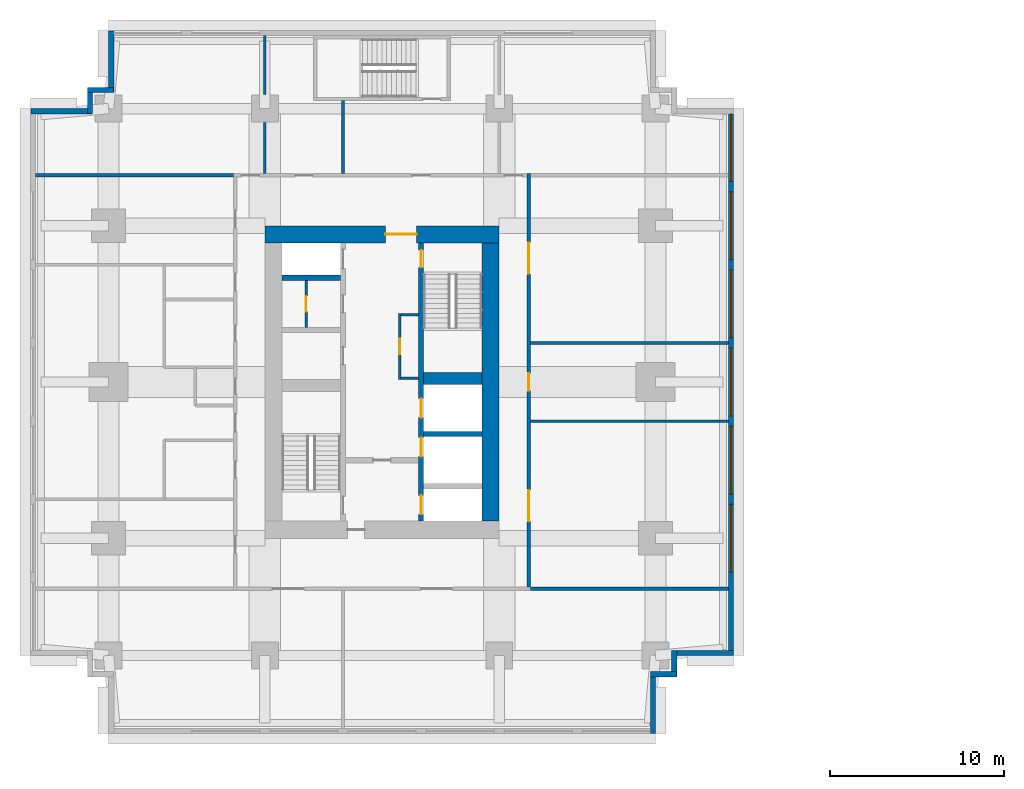
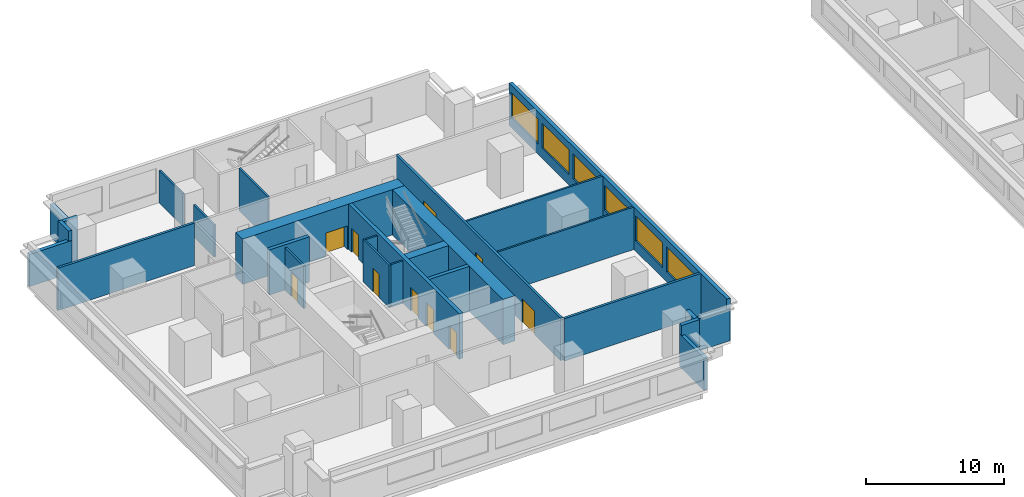
# One storey, part 4 of 11: 27 walls, 10 doors, 6 windows, 16 openings.
"""IFC4 building model written with IfcOpenShell, lengths in metres."""

from ifc_helpers import new_model, si_unit, direction, frame, frame_2d, origin, place, context, subcontext, project, spatial, rectangle, extrude, material, layer, layer_set, type_object, element, fill, save


model = new_model("IFC4")

# Units and contexts
model_context = context("Model", 3, precision=1e-05, world=origin(), true_north=direction((0.0, 1.0)))
body_context = subcontext(model_context, "Body", "Model", "MODEL_VIEW")
ifc_project = project(units=[si_unit("LENGTHUNIT", "METRE"), si_unit("AREAUNIT", "SQUARE_METRE"), si_unit("VOLUMEUNIT", "CUBIC_METRE"), si_unit("PLANEANGLEUNIT", "RADIAN"), si_unit("MASSUNIT", "GRAM", prefix="KILO")], contexts=[model_context])

# Site, building, storey
site_placement = place(None, origin())
site = spatial("IfcSite", under=ifc_project, at=site_placement, CompositionType="ELEMENT")
building_placement = place(site_placement, origin())
building = spatial("IfcBuilding", under=site, at=building_placement, Name="Namib Vertical Campus", CompositionType="ELEMENT")
storey_placement = place(building_placement, frame((0.0, 0.0, 221.0)))
storey = spatial("IfcBuildingStorey", under=building, at=storey_placement, Name="L52", CompositionType="ELEMENT", Elevation=221.0)

# Wall, openings, doors
ifc_material_1 = material(Name="Concrete C60/75", Category="concrete")
ifc_layer_1 = layer(ifc_material_1, 0.300048828125)
ifc_layer_set_1 = layer_set([ifc_layer_1], Name="Concrete C60/75")
wall_type_1 = type_object("IfcWallType", Name="Core inner wall 300", PredefinedType="SHEAR", material=ifc_layer_set_1)
wall_1_placement = place(storey_placement, frame((22.5, 12.25, 0.0), z_axis=(0.0, 0.0, 1.0), x_axis=(0.0, 1.0, 0.0)))
wall_1 = element("IfcWall", 1, at=wall_1_placement, inside=storey, type_object=wall_type_1, Name="Core inner wall A L52 W2", PredefinedType="SHEAR", context=body_context, shape_type="SweptSolid", body=[
    extrude(rectangle(XDim=16.0, YDim=0.300048828125, at=frame_2d((8.0, 0.0))), origin(), (0.0, 0.0, 1.0), 4.0),
])
opening_1_placement = place(wall_1_placement, frame((14.60009765625, 0.0, 0.0)))
opening_1 = element("IfcOpeningElement", 2, at=opening_1_placement, cuts=wall_1, Name="Opening FD1", PredefinedType="OPENING", context=body_context, shape_type="SweptSolid", body=[
    extrude(rectangle(XDim=1.0, YDim=2.10009765625, at=frame_2d((0.5, 1.050048828125))), frame((0.0, 0.159912109375, 0.0), z_axis=(0.0, -1.0, 0.0), x_axis=(1.0, 0.0, 0.0)), (0.0, 0.0, 1.0), 0.320068359375),
])
opening_2_placement = place(wall_1_placement, frame((0.375, 0.0, 0.0)))
opening_2 = element("IfcOpeningElement", 3, at=opening_2_placement, cuts=wall_1, Name="Opening LD1", PredefinedType="OPENING", context=body_context, shape_type="SweptSolid", body=[
    extrude(rectangle(XDim=1.10009765625, YDim=2.10009765625, at=frame_2d((0.550048828125, 1.050048828125))), frame((0.0, 0.159912109375, 0.0), z_axis=(0.0, -1.0, 0.0), x_axis=(1.0, 0.0, 0.0)), (0.0, 0.0, 1.0), 0.320068359375),
])
opening_3_placement = place(wall_1_placement, frame((3.699951171875, 0.0, 0.0)))
opening_3 = element("IfcOpeningElement", 4, at=opening_3_placement, cuts=wall_1, Name="Opening LD1", PredefinedType="OPENING", context=body_context, shape_type="SweptSolid", body=[
    extrude(rectangle(XDim=1.10009765625, YDim=2.10009765625, at=frame_2d((0.550048828125, 1.050048828125))), frame((0.0, 0.159912109375, 0.0), z_axis=(0.0, -1.0, 0.0), x_axis=(1.0, 0.0, 0.0)), (0.0, 0.0, 1.0), 0.320068359375),
])
opening_4_placement = place(wall_1_placement, frame((5.949951171875, 0.0, 0.0)))
opening_4 = element("IfcOpeningElement", 5, at=opening_4_placement, cuts=wall_1, Name="Opening LD1", PredefinedType="OPENING", context=body_context, shape_type="SweptSolid", body=[
    extrude(rectangle(XDim=1.10009765625, YDim=2.10009765625, at=frame_2d((0.550048828125, 1.050048828125))), frame((0.0, 0.159912109375, 0.0), z_axis=(0.0, -1.0, 0.0), x_axis=(1.0, 0.0, 0.0)), (0.0, 0.0, 1.0), 0.320068359375),
])
ifc_material_2 = material(Name="Steel fire door", Category="steel")
door_type_1 = type_object("IfcDoorType", Name="Fire door 1000x2100", OperationType="SINGLE_SWING_RIGHT", PredefinedType="DOOR", material=ifc_material_2)
door_1_placement = place(opening_1_placement, frame((1.0, 0.0, 0.0), z_axis=(0.0, 0.0, 1.0), x_axis=(-1.0, 0.0, 0.0)))
door_1 = element("IfcDoor", 6, at=door_1_placement, inside=storey, type_object=door_type_1, Name="Stair door FD1 A L52 S2", OperationType="SINGLE_SWING_LEFT", OverallHeight=2.10009765625, OverallWidth=1.0, PredefinedType="DOOR", context=body_context, shape_type="SweptSolid", body=[
    extrude(rectangle(XDim=1.0, YDim=2.10009765625, at=frame_2d((0.5, 1.050048828125))), frame((0.0, 0.02490234375, 0.0), z_axis=(0.0, -1.0, 0.0), x_axis=(1.0, 0.0, 0.0)), (0.0, 0.0, 1.0), 0.050048828125),
])
fill(opening_1, door_1)
ifc_material_3 = material(Name="Stainless steel lift door", Category="steel")
door_type_2 = type_object("IfcDoorType", Name="Lift landing door 1100x2100", OperationType="DOUBLE_DOOR_SLIDING", PredefinedType="DOOR", material=ifc_material_3)
door_2_placement = place(opening_2_placement, origin())
door_2 = element("IfcDoor", 7, at=door_2_placement, inside=storey, type_object=door_type_2, Name="Lift landing door LD1 A-FL1 L52", OperationType="DOUBLE_DOOR_SLIDING", OverallHeight=2.10009765625, OverallWidth=1.10009765625, PredefinedType="DOOR", context=body_context, shape_type="SweptSolid", body=[
    extrude(rectangle(XDim=1.10009765625, YDim=2.10009765625, at=frame_2d((0.550048828125, 1.050048828125))), frame((0.0, 0.02490234375, 0.0), z_axis=(0.0, -1.0, 0.0), x_axis=(1.0, 0.0, 0.0)), (0.0, 0.0, 1.0), 0.050048828125),
])
fill(opening_2, door_2)
door_3_placement = place(opening_3_placement, origin())
door_3 = element("IfcDoor", 8, at=door_3_placement, inside=storey, type_object=door_type_2, Name="Lift landing door LD1 A-P4 L52", OperationType="DOUBLE_DOOR_SLIDING", OverallHeight=2.10009765625, OverallWidth=1.10009765625, PredefinedType="DOOR", context=body_context, shape_type="SweptSolid", body=[
    extrude(rectangle(XDim=1.10009765625, YDim=2.10009765625, at=frame_2d((0.550048828125, 1.050048828125))), frame((0.0, 0.02490234375, 0.0), z_axis=(0.0, -1.0, 0.0), x_axis=(1.0, 0.0, 0.0)), (0.0, 0.0, 1.0), 0.050048828125),
])
fill(opening_3, door_3)
door_4_placement = place(opening_4_placement, origin())
door_4 = element("IfcDoor", 9, at=door_4_placement, inside=storey, type_object=door_type_2, Name="Lift landing door LD1 A-P5 L52", OperationType="DOUBLE_DOOR_SLIDING", OverallHeight=2.10009765625, OverallWidth=1.10009765625, PredefinedType="DOOR", context=body_context, shape_type="SweptSolid", body=[
    extrude(rectangle(XDim=1.10009765625, YDim=2.10009765625, at=frame_2d((0.550048828125, 1.050048828125))), frame((0.0, 0.02490234375, 0.0), z_axis=(0.0, -1.0, 0.0), x_axis=(1.0, 0.0, 0.0)), (0.0, 0.0, 1.0), 0.050048828125),
])
fill(opening_4, door_4)

# Walls
for number, where, z_axis, x_axis, name in (
    (10, (22.64990234375, 17.25, 0.0), (0.0, 0.0, 1.0), (1.0, 0.0, 0.0), "Core inner wall A L52 W6"),
    (11, (14.5, 26.25, 0.0), (0.0, 0.0, 1.0), (1.0, 0.0, 0.0), "Core inner wall A L52 W9"),
):
    element("IfcWall", number, at=place(storey_placement, frame(where, z_axis=z_axis, x_axis=x_axis)), inside=storey, type_object=wall_type_1, Name=name, PredefinedType="SHEAR", context=body_context, shape_type="SweptSolid", body=[
        extrude(rectangle(XDim=3.35009765625, YDim=0.300048828125, at=frame_2d((1.675048828125, 0.0))), origin(), (0.0, 0.0, 1.0), 4.0),
    ])
ifc_material_4 = material(Name="Concrete C60/75", Category="concrete")
ifc_layer_2 = layer(ifc_material_4, 0.699951171875)
ifc_layer_set_2 = layer_set([ifc_layer_2], Name="Concrete C60/75")
wall_type_2 = type_object("IfcWallType", Name="Core shear wall 700", PredefinedType="SHEAR", material=ifc_layer_set_2)
wall_2_placement = place(storey_placement, frame((22.64990234375, 20.449951171875, 0.0), z_axis=(0.0, 0.0, 1.0), x_axis=(1.0, 0.0, 0.0)))
element("IfcWall", 12, at=wall_2_placement, inside=storey, type_object=wall_type_2, Name="Core shear wall A L52 W7", PredefinedType="SHEAR", context=body_context, shape_type="SweptSolid", body=[
    extrude(rectangle(XDim=3.35009765625, YDim=0.699951171875, at=frame_2d((1.675048828125, 0.0))), origin(), (0.0, 0.0, 1.0), 4.0),
])
ifc_material_5 = material(Name="Concrete C60/75", Category="concrete")
ifc_layer_3 = layer(ifc_material_5, 1.0)
ifc_layer_set_3 = layer_set([ifc_layer_3], Name="Concrete C60/75")
wall_type_3 = type_object("IfcWallType", Name="Core wall 1000", PredefinedType="SHEAR", material=ifc_layer_set_3)
wall_3_placement = place(storey_placement, frame((26.5, 12.25, 0.0), z_axis=(0.0, 0.0, 1.0), x_axis=(0.0, 1.0, 0.0)))
element("IfcWall", 13, at=wall_3_placement, inside=storey, type_object=wall_type_3, Name="Core wall A L52 2", PredefinedType="SHEAR", context=body_context, shape_type="SweptSolid", body=[
    extrude(rectangle(XDim=16.0, YDim=1.0, at=frame_2d((8.0, 0.0))), origin(), (0.0, 0.0, 1.0), 4.0),
])

# Wall, opening, door
wall_4_placement = place(storey_placement, frame((27.0, 28.75, 0.0), z_axis=(0.0, 0.0, 1.0), x_axis=(-1.0, 0.0, 0.0)))
wall_4 = element("IfcWall", 14, at=wall_4_placement, inside=storey, type_object=wall_type_3, Name="Core wall A L52 3", PredefinedType="SHEAR", context=body_context, shape_type="SweptSolid", body=[
    extrude(rectangle(XDim=13.5, YDim=1.0, at=frame_2d((6.75, 0.0))), origin(), (0.0, 0.0, 1.0), 4.0),
])
opening_5_placement = place(wall_4_placement, frame((4.75, 0.0, 0.0)))
opening_5 = element("IfcOpeningElement", 15, at=opening_5_placement, cuts=wall_4, Name="Opening FD2", PredefinedType="OPENING", context=body_context, shape_type="SweptSolid", body=[
    extrude(rectangle(XDim=1.800048828125, YDim=2.10009765625, at=frame_2d((0.89990234375, 1.050048828125))), frame((0.0, 0.510009765625, 0.0), z_axis=(0.0, -1.0, 0.0), x_axis=(1.0, 0.0, 0.0)), (0.0, 0.0, 1.0), 1.02001953125),
])
ifc_material_6 = material(Name="Steel fire door", Category="steel")
door_type_3 = type_object("IfcDoorType", Name="Fire door double 1800x2100", OperationType="DOUBLE_DOOR_SINGLE_SWING", PredefinedType="DOOR", material=ifc_material_6)
door_5_placement = place(opening_5_placement, origin())
door_5 = element("IfcDoor", 16, at=door_5_placement, inside=storey, type_object=door_type_3, Name="Lift lobby door FD2 A L52", OperationType="DOUBLE_DOOR_SINGLE_SWING", OverallHeight=2.10009765625, OverallWidth=1.800048828125, PredefinedType="DOOR", context=body_context, shape_type="SweptSolid", body=[
    extrude(rectangle(XDim=1.800048828125, YDim=2.10009765625, at=frame_2d((0.89990234375, 1.050048828125))), frame((0.0, 0.02490234375, 0.0), z_axis=(0.0, -1.0, 0.0), x_axis=(1.0, 0.0, 0.0)), (0.0, 0.0, 1.0), 0.050048828125),
])
fill(opening_5, door_5)

# Wall, openings, doors
ifc_material_7 = material(Name="Concrete masonry", Category="masonry")
ifc_layer_4 = layer(ifc_material_7, 0.199951171875)
ifc_layer_set_4 = layer_set([ifc_layer_4], Name="Corridor wall 200")
wall_type_4 = type_object("IfcWallType", Name="Corridor wall 200", PredefinedType="SOLIDWALL", material=ifc_layer_set_4)
wall_5_placement = place(storey_placement, frame((28.699951171875, 8.449951171875, 0.0), z_axis=(0.0, 0.0, 1.0), x_axis=(0.0, 1.0, 0.0)))
wall_5 = element("IfcWall", 17, at=wall_5_placement, inside=storey, type_object=wall_type_4, Name="Corridor wall A L52 CE", PredefinedType="SOLIDWALL", context=body_context, shape_type="SweptSolid", body=[
    extrude(rectangle(XDim=23.800048828125, YDim=0.199951171875, at=frame_2d((11.89990234375, 0.0))), origin(), (0.0, 0.0, 1.0), 3.75),
])
opening_6_placement = place(wall_5_placement, frame((3.77490234375, 0.0, 0.0)))
opening_6 = element("IfcOpeningElement", 18, at=opening_6_placement, cuts=wall_5, Name="Opening CD2", PredefinedType="OPENING", context=body_context, shape_type="SweptSolid", body=[
    extrude(rectangle(XDim=1.800048828125, YDim=2.10009765625, at=frame_2d((0.89990234375, 1.050048828125))), frame((0.0, 0.10986328125, 0.0), z_axis=(0.0, -1.0, 0.0), x_axis=(1.0, 0.0, 0.0)), (0.0, 0.0, 1.0), 0.219970703125),
])
opening_7_placement = place(wall_5_placement, frame((11.300048828125, 0.0, 0.0)))
opening_7 = element("IfcOpeningElement", 19, at=opening_7_placement, cuts=wall_5, Name="Opening CD1", PredefinedType="OPENING", context=body_context, shape_type="SweptSolid", body=[
    extrude(rectangle(XDim=1.0, YDim=2.10009765625, at=frame_2d((0.5, 1.050048828125))), frame((0.0, 0.10986328125, 0.0), z_axis=(0.0, -1.0, 0.0), x_axis=(1.0, 0.0, 0.0)), (0.0, 0.0, 1.0), 0.219970703125),
])
opening_8_placement = place(wall_5_placement, frame((18.02490234375, 0.0, 0.0)))
opening_8 = element("IfcOpeningElement", 20, at=opening_8_placement, cuts=wall_5, Name="Opening CD2", PredefinedType="OPENING", context=body_context, shape_type="SweptSolid", body=[
    extrude(rectangle(XDim=1.800048828125, YDim=2.10009765625, at=frame_2d((0.89990234375, 1.050048828125))), frame((0.0, 0.10986328125, 0.0), z_axis=(0.0, -1.0, 0.0), x_axis=(1.0, 0.0, 0.0)), (0.0, 0.0, 1.0), 0.219970703125),
])
ifc_material_8 = material(Name="Timber fire door leaf", Category="wood")
door_type_4 = type_object("IfcDoorType", Name="Corridor door 1000x2100 20 min", OperationType="SINGLE_SWING_LEFT", PredefinedType="DOOR", material=ifc_material_8)
door_6_placement = place(opening_7_placement, frame((1.0, 0.0, 0.0), z_axis=(0.0, 0.0, 1.0), x_axis=(-1.0, 0.0, 0.0)))
door_6 = element("IfcDoor", 21, at=door_6_placement, inside=storey, type_object=door_type_4, Name="Door CD1 A52-04", OperationType="SINGLE_SWING_RIGHT", OverallHeight=2.10009765625, OverallWidth=1.0, PredefinedType="DOOR", context=body_context, shape_type="SweptSolid", body=[
    extrude(rectangle(XDim=1.0, YDim=2.10009765625, at=frame_2d((0.5, 1.050048828125))), frame((0.0, 0.02490234375, 0.0), z_axis=(0.0, -1.0, 0.0), x_axis=(1.0, 0.0, 0.0)), (0.0, 0.0, 1.0), 0.050048828125),
])
fill(opening_7, door_6)
ifc_material_9 = material(Name="Timber fire door leaf", Category="wood")
door_type_5 = type_object("IfcDoorType", Name="Corridor door double 1800x2100 20 min", OperationType="DOUBLE_DOOR_SINGLE_SWING", PredefinedType="DOOR", material=ifc_material_9)
door_7_placement = place(opening_6_placement, frame((1.800048828125, 0.0, 0.0), z_axis=(0.0, 0.0, 1.0), x_axis=(-1.0, 0.0, 0.0)))
door_7 = element("IfcDoor", 22, at=door_7_placement, inside=storey, type_object=door_type_5, Name="Door CD2 A52-03", OperationType="DOUBLE_DOOR_SINGLE_SWING", OverallHeight=2.10009765625, OverallWidth=1.800048828125, PredefinedType="DOOR", context=body_context, shape_type="SweptSolid", body=[
    extrude(rectangle(XDim=1.800048828125, YDim=2.10009765625, at=frame_2d((0.89990234375, 1.050048828125))), frame((0.0, 0.02490234375, 0.0), z_axis=(0.0, -1.0, 0.0), x_axis=(1.0, 0.0, 0.0)), (0.0, 0.0, 1.0), 0.050048828125),
])
fill(opening_6, door_7)
door_8_placement = place(opening_8_placement, frame((1.800048828125, 0.0, 0.0), z_axis=(0.0, 0.0, 1.0), x_axis=(-1.0, 0.0, 0.0)))
door_8 = element("IfcDoor", 23, at=door_8_placement, inside=storey, type_object=door_type_5, Name="Door CD2 A52-05", OperationType="DOUBLE_DOOR_SINGLE_SWING", OverallHeight=2.10009765625, OverallWidth=1.800048828125, PredefinedType="DOOR", context=body_context, shape_type="SweptSolid", body=[
    extrude(rectangle(XDim=1.800048828125, YDim=2.10009765625, at=frame_2d((0.89990234375, 1.050048828125))), frame((0.0, 0.02490234375, 0.0), z_axis=(0.0, -1.0, 0.0), x_axis=(1.0, 0.0, 0.0)), (0.0, 0.0, 1.0), 0.050048828125),
])
fill(opening_8, door_8)

# Walls
for number, where, z_axis, x_axis, name in (
    (24, (28.800048828125, 8.35009765625, 0.0), (0.0, 0.0, 1.0), (1.0, 0.0, 0.0), "Partition A L52 BSE"),
    (25, (0.300048828125, 32.14990234375, 0.0), (0.0, 0.0, 1.0), (1.0, 0.0, 0.0), "Partition A L52 BNW"),
):
    element("IfcWall", number, at=place(storey_placement, frame(where, z_axis=z_axis, x_axis=x_axis)), inside=storey, type_object=wall_type_4, Name=name, PredefinedType="SOLIDWALL", context=body_context, shape_type="SweptSolid", body=[
        extrude(rectangle(XDim=11.39990234375, YDim=0.199951171875, at=frame_2d((5.699951171875, 0.0))), origin(), (0.0, 0.0, 1.0), 3.75),
    ])
ifc_material_10 = material(Name="Concrete C40/50", Category="concrete")
ifc_layer_5 = layer(ifc_material_10, 0.300048828125)
ifc_layer_set_5 = layer_set([ifc_layer_5], Name="Concrete C40/50")
wall_type_5 = type_object("IfcWallType", Name="External wall 300 board-marked concrete", PredefinedType="STANDARD", material=ifc_layer_set_5)
wall_6_placement = place(storey_placement, frame((35.85009765625, 0.02001953125, 0.0), z_axis=(0.0, 0.0, 1.0), x_axis=(0.0, 1.0, 0.0)))
element("IfcWall", 26, at=wall_6_placement, inside=storey, type_object=wall_type_5, Name="External wall L52 F02", PredefinedType="STANDARD", context=body_context, shape_type="SweptSolid", body=[
    extrude(rectangle(XDim=3.534912109375, YDim=0.300048828125, at=frame_2d((1.767578125, 0.0))), origin(), (0.0, 0.0, 1.0), 2.85009765625),
])
for number, where, z_axis, x_axis, name in (
    (27, (35.719970703125, 3.425048828125, 0.0), (0.0, 0.0, 1.0), (1.0, 0.0, 0.0), "External wall L52 F03"),
    (28, (37.074951171875, 3.294921875, 0.0), (0.0, 0.0, 1.0), (0.0, 1.0, 0.0), "External wall L52 F04"),
):
    element("IfcWall", number, at=place(storey_placement, frame(where, z_axis=z_axis, x_axis=x_axis)), inside=storey, type_object=wall_type_5, Name=name, PredefinedType="STANDARD", context=body_context, shape_type="SweptSolid", body=[
        extrude(rectangle(XDim=1.485107421875, YDim=0.300048828125, at=frame_2d((0.74267578125, 0.0))), origin(), (0.0, 0.0, 1.0), 3.75),
    ])
wall_7_placement = place(storey_placement, frame((36.945068359375, 4.64990234375, 0.0), z_axis=(0.0, 0.0, 1.0), x_axis=(1.0, 0.0, 0.0)))
element("IfcWall", 29, at=wall_7_placement, inside=storey, type_object=wall_type_5, Name="External wall L52 F05", PredefinedType="STANDARD", context=body_context, shape_type="SweptSolid", body=[
    extrude(rectangle(XDim=3.534912109375, YDim=0.300048828125, at=frame_2d((1.767578125, 0.0))), origin(), (0.0, 0.0, 1.0), 2.85009765625),
])

# Wall, openings, windows
wall_8_placement = place(storey_placement, frame((40.35009765625, 4.52001953125, 0.0), z_axis=(0.0, 0.0, 1.0), x_axis=(0.0, 1.0, 0.0)))
wall_8 = element("IfcWall", 30, at=wall_8_placement, inside=storey, type_object=wall_type_5, Name="External wall L52 F06", PredefinedType="STANDARD", context=body_context, shape_type="SweptSolid", body=[
    extrude(rectangle(XDim=31.4599609375, YDim=0.300048828125, at=frame_2d((15.72998046875, 0.0))), origin(), (0.0, 0.0, 1.0), 3.75),
])
opening_9_placement = place(wall_8_placement, frame((4.780029296875, 0.0, 0.89990234375)))
opening_9 = element("IfcOpeningElement", 31, at=opening_9_placement, cuts=wall_8, Name="Opening W1", PredefinedType="OPENING", context=body_context, shape_type="SweptSolid", body=[
    extrude(rectangle(XDim=3.89990234375, YDim=2.199951171875, at=frame_2d((1.949951171875, 1.10009765625))), frame((0.0, 0.159912109375, 0.0), z_axis=(0.0, -1.0, 0.0), x_axis=(1.0, 0.0, 0.0)), (0.0, 0.0, 1.0), 0.320068359375),
])
opening_10_placement = place(wall_8_placement, frame((9.280029296875, 0.0, 0.89990234375)))
opening_10 = element("IfcOpeningElement", 32, at=opening_10_placement, cuts=wall_8, Name="Opening W1", PredefinedType="OPENING", context=body_context, shape_type="SweptSolid", body=[
    extrude(rectangle(XDim=3.89990234375, YDim=2.199951171875, at=frame_2d((1.949951171875, 1.10009765625))), frame((0.0, 0.159912109375, 0.0), z_axis=(0.0, -1.0, 0.0), x_axis=(1.0, 0.0, 0.0)), (0.0, 0.0, 1.0), 0.320068359375),
])
opening_11_placement = place(wall_8_placement, frame((13.780029296875, 0.0, 0.89990234375)))
opening_11 = element("IfcOpeningElement", 33, at=opening_11_placement, cuts=wall_8, Name="Opening W1", PredefinedType="OPENING", context=body_context, shape_type="SweptSolid", body=[
    extrude(rectangle(XDim=3.89990234375, YDim=2.199951171875, at=frame_2d((1.949951171875, 1.10009765625))), frame((0.0, 0.159912109375, 0.0), z_axis=(0.0, -1.0, 0.0), x_axis=(1.0, 0.0, 0.0)), (0.0, 0.0, 1.0), 0.320068359375),
])
opening_12_placement = place(wall_8_placement, frame((18.280029296875, 0.0, 0.89990234375)))
opening_12 = element("IfcOpeningElement", 34, at=opening_12_placement, cuts=wall_8, Name="Opening W1", PredefinedType="OPENING", context=body_context, shape_type="SweptSolid", body=[
    extrude(rectangle(XDim=3.89990234375, YDim=2.199951171875, at=frame_2d((1.949951171875, 1.10009765625))), frame((0.0, 0.159912109375, 0.0), z_axis=(0.0, -1.0, 0.0), x_axis=(1.0, 0.0, 0.0)), (0.0, 0.0, 1.0), 0.320068359375),
])
opening_13_placement = place(wall_8_placement, frame((22.780029296875, 0.0, 0.89990234375)))
opening_13 = element("IfcOpeningElement", 35, at=opening_13_placement, cuts=wall_8, Name="Opening W1", PredefinedType="OPENING", context=body_context, shape_type="SweptSolid", body=[
    extrude(rectangle(XDim=3.89990234375, YDim=2.199951171875, at=frame_2d((1.949951171875, 1.10009765625))), frame((0.0, 0.159912109375, 0.0), z_axis=(0.0, -1.0, 0.0), x_axis=(1.0, 0.0, 0.0)), (0.0, 0.0, 1.0), 0.320068359375),
])
opening_14_placement = place(wall_8_placement, frame((27.280029296875, 0.0, 0.89990234375)))
opening_14 = element("IfcOpeningElement", 36, at=opening_14_placement, cuts=wall_8, Name="Opening W1", PredefinedType="OPENING", context=body_context, shape_type="SweptSolid", body=[
    extrude(rectangle(XDim=3.89990234375, YDim=2.199951171875, at=frame_2d((1.949951171875, 1.10009765625))), frame((0.0, 0.159912109375, 0.0), z_axis=(0.0, -1.0, 0.0), x_axis=(1.0, 0.0, 0.0)), (0.0, 0.0, 1.0), 0.320068359375),
])
ifc_material_11 = material(Name="Dark tinted glass in black aluminium frame", Category="aluminium")
window_type = type_object("IfcWindowType", Name="Ribbon window 3900x2200", PartitioningType="SINGLE_PANEL", PredefinedType="WINDOW", material=ifc_material_11)
window_1_placement = place(opening_9_placement, origin())
window_1 = element("IfcWindow", 37, at=window_1_placement, inside=storey, type_object=window_type, Name="Window W1 L52 F06-2", OverallHeight=2.199951171875, OverallWidth=3.89990234375, PartitioningType="SINGLE_PANEL", PredefinedType="WINDOW", context=body_context, shape_type="SweptSolid", body=[
    extrude(rectangle(XDim=3.89990234375, YDim=2.199951171875, at=frame_2d((1.949951171875, 1.10009765625))), frame((0.0, 0.030029296875, 0.0), z_axis=(0.0, -1.0, 0.0), x_axis=(1.0, 0.0, 0.0)), (0.0, 0.0, 1.0), 0.06005859375),
])
fill(opening_9, window_1)
window_2_placement = place(opening_10_placement, origin())
window_2 = element("IfcWindow", 38, at=window_2_placement, inside=storey, type_object=window_type, Name="Window W1 L52 F06-3", OverallHeight=2.199951171875, OverallWidth=3.89990234375, PartitioningType="SINGLE_PANEL", PredefinedType="WINDOW", context=body_context, shape_type="SweptSolid", body=[
    extrude(rectangle(XDim=3.89990234375, YDim=2.199951171875, at=frame_2d((1.949951171875, 1.10009765625))), frame((0.0, 0.030029296875, 0.0), z_axis=(0.0, -1.0, 0.0), x_axis=(1.0, 0.0, 0.0)), (0.0, 0.0, 1.0), 0.06005859375),
])
fill(opening_10, window_2)
window_3_placement = place(opening_11_placement, origin())
window_3 = element("IfcWindow", 39, at=window_3_placement, inside=storey, type_object=window_type, Name="Window W1 L52 F06-4", OverallHeight=2.199951171875, OverallWidth=3.89990234375, PartitioningType="SINGLE_PANEL", PredefinedType="WINDOW", context=body_context, shape_type="SweptSolid", body=[
    extrude(rectangle(XDim=3.89990234375, YDim=2.199951171875, at=frame_2d((1.949951171875, 1.10009765625))), frame((0.0, 0.030029296875, 0.0), z_axis=(0.0, -1.0, 0.0), x_axis=(1.0, 0.0, 0.0)), (0.0, 0.0, 1.0), 0.06005859375),
])
fill(opening_11, window_3)
window_4_placement = place(opening_12_placement, origin())
window_4 = element("IfcWindow", 40, at=window_4_placement, inside=storey, type_object=window_type, Name="Window W1 L52 F06-5", OverallHeight=2.199951171875, OverallWidth=3.89990234375, PartitioningType="SINGLE_PANEL", PredefinedType="WINDOW", context=body_context, shape_type="SweptSolid", body=[
    extrude(rectangle(XDim=3.89990234375, YDim=2.199951171875, at=frame_2d((1.949951171875, 1.10009765625))), frame((0.0, 0.030029296875, 0.0), z_axis=(0.0, -1.0, 0.0), x_axis=(1.0, 0.0, 0.0)), (0.0, 0.0, 1.0), 0.06005859375),
])
fill(opening_12, window_4)
window_5_placement = place(opening_13_placement, origin())
window_5 = element("IfcWindow", 41, at=window_5_placement, inside=storey, type_object=window_type, Name="Window W1 L52 F06-6", OverallHeight=2.199951171875, OverallWidth=3.89990234375, PartitioningType="SINGLE_PANEL", PredefinedType="WINDOW", context=body_context, shape_type="SweptSolid", body=[
    extrude(rectangle(XDim=3.89990234375, YDim=2.199951171875, at=frame_2d((1.949951171875, 1.10009765625))), frame((0.0, 0.030029296875, 0.0), z_axis=(0.0, -1.0, 0.0), x_axis=(1.0, 0.0, 0.0)), (0.0, 0.0, 1.0), 0.06005859375),
])
fill(opening_13, window_5)
window_6_placement = place(opening_14_placement, origin())
window_6 = element("IfcWindow", 42, at=window_6_placement, inside=storey, type_object=window_type, Name="Window W1 L52 F06-7", OverallHeight=2.199951171875, OverallWidth=3.89990234375, PartitioningType="SINGLE_PANEL", PredefinedType="WINDOW", context=body_context, shape_type="SweptSolid", body=[
    extrude(rectangle(XDim=3.89990234375, YDim=2.199951171875, at=frame_2d((1.949951171875, 1.10009765625))), frame((0.0, 0.030029296875, 0.0), z_axis=(0.0, -1.0, 0.0), x_axis=(1.0, 0.0, 0.0)), (0.0, 0.0, 1.0), 0.06005859375),
])
fill(opening_14, window_6)

# Walls
wall_9_placement = place(storey_placement, frame((4.64990234375, 40.47998046875, 0.0), z_axis=(0.0, 0.0, 1.0), x_axis=(0.0, -1.0, 0.0)))
element("IfcWall", 43, at=wall_9_placement, inside=storey, type_object=wall_type_5, Name="External wall L52 F12", PredefinedType="STANDARD", context=body_context, shape_type="SweptSolid", body=[
    extrude(rectangle(XDim=3.534912109375, YDim=0.300048828125, at=frame_2d((1.767578125, 0.0))), origin(), (0.0, 0.0, 1.0), 2.85009765625),
])
for number, where, z_axis, x_axis, name in (
    (44, (4.780029296875, 37.074951171875, 0.0), (0.0, 0.0, 1.0), (-1.0, 0.0, 0.0), "External wall L52 F13"),
    (45, (3.425048828125, 37.205078125, 0.0), (0.0, 0.0, 1.0), (0.0, -1.0, 0.0), "External wall L52 F14"),
):
    element("IfcWall", number, at=place(storey_placement, frame(where, z_axis=z_axis, x_axis=x_axis)), inside=storey, type_object=wall_type_5, Name=name, PredefinedType="STANDARD", context=body_context, shape_type="SweptSolid", body=[
        extrude(rectangle(XDim=1.485107421875, YDim=0.300048828125, at=frame_2d((0.74267578125, 0.0))), origin(), (0.0, 0.0, 1.0), 3.75),
    ])
wall_10_placement = place(storey_placement, frame((3.554931640625, 35.85009765625, 0.0), z_axis=(0.0, 0.0, 1.0), x_axis=(-1.0, 0.0, 0.0)))
element("IfcWall", 46, at=wall_10_placement, inside=storey, type_object=wall_type_5, Name="External wall L52 F15", PredefinedType="STANDARD", context=body_context, shape_type="SweptSolid", body=[
    extrude(rectangle(XDim=3.534912109375, YDim=0.300048828125, at=frame_2d((1.767578125, 0.0))), origin(), (0.0, 0.0, 1.0), 2.85009765625),
])

# Wall, opening, door
ifc_material_12 = material(Name="Gypsum board on steel studs", Category="steel")
ifc_layer_6 = layer(ifc_material_12, 0.14990234375)
ifc_layer_set_6 = layer_set([ifc_layer_6], Name="Gypsum board on steel studs")
wall_type_6 = type_object("IfcWallType", Name="Partition 150", PredefinedType="PARTITIONING", material=ifc_layer_set_6)
wall_11_placement = place(storey_placement, frame((21.27490234375, 20.39990234375, 0.0), z_axis=(0.0, 0.0, 1.0), x_axis=(0.0, 1.0, 0.0)))
wall_11 = element("IfcWall", 47, at=wall_11_placement, inside=storey, type_object=wall_type_6, Name="Partition A L52 Linen store front", PredefinedType="PARTITIONING", context=body_context, shape_type="SweptSolid", body=[
    extrude(rectangle(XDim=3.800048828125, YDim=0.14990234375, at=frame_2d((1.89990234375, 0.0))), origin(), (0.0, 0.0, 1.0), 3.75),
])
opening_15_placement = place(wall_11_placement, frame((1.449951171875, 0.0, 0.0)))
opening_15 = element("IfcOpeningElement", 48, at=opening_15_placement, cuts=wall_11, Name="Opening D3", PredefinedType="OPENING", context=body_context, shape_type="SweptSolid", body=[
    extrude(rectangle(XDim=0.89990234375, YDim=2.10009765625, at=frame_2d((0.449951171875, 1.050048828125))), frame((0.0, 0.0849609375, 0.0), z_axis=(0.0, -1.0, 0.0), x_axis=(1.0, 0.0, 0.0)), (0.0, 0.0, 1.0), 0.169921875),
])
ifc_material_13 = material(Name="Timber door leaf", Category="wood")
door_type_6 = type_object("IfcDoorType", Name="Toilet door 900x2100", OperationType="SINGLE_SWING_LEFT", PredefinedType="DOOR", material=ifc_material_13)
door_9_placement = place(opening_15_placement, frame((0.89990234375, 0.0, 0.0), z_axis=(0.0, 0.0, 1.0), x_axis=(-1.0, 0.0, 0.0)))
door_9 = element("IfcDoor", 49, at=door_9_placement, inside=storey, type_object=door_type_6, Name="Door D3 Linen store A L52", OperationType="SINGLE_SWING_RIGHT", OverallHeight=2.10009765625, OverallWidth=0.89990234375, PredefinedType="DOOR", context=body_context, shape_type="SweptSolid", body=[
    extrude(rectangle(XDim=0.89990234375, YDim=2.10009765625, at=frame_2d((0.449951171875, 1.050048828125))), frame((0.0, 0.02490234375, 0.0), z_axis=(0.0, -1.0, 0.0), x_axis=(1.0, 0.0, 0.0)), (0.0, 0.0, 1.0), 0.050048828125),
])
fill(opening_15, door_9)

# Walls
for number, where, z_axis, x_axis, name in (
    (50, (21.35009765625, 20.47509765625, 0.0), (0.0, 0.0, 1.0), (1.0, 0.0, 0.0), "Partition A L52 Linen store end 1"),
    (51, (21.35009765625, 24.125, 0.0), (0.0, 0.0, 1.0), (1.0, 0.0, 0.0), "Partition A L52 Linen store end 2"),
):
    element("IfcWall", number, at=place(storey_placement, frame(where, z_axis=z_axis, x_axis=x_axis)), inside=storey, type_object=wall_type_6, Name=name, PredefinedType="PARTITIONING", context=body_context, shape_type="SweptSolid", body=[
        extrude(rectangle(XDim=1.0, YDim=0.14990234375, at=frame_2d((0.5, 0.0))), origin(), (0.0, 0.0, 1.0), 3.75),
    ])

# Wall, opening, door
wall_12_placement = place(storey_placement, frame((15.875, 23.39990234375, 0.0), z_axis=(0.0, 0.0, 1.0), x_axis=(0.0, 1.0, 0.0)))
wall_12 = element("IfcWall", 52, at=wall_12_placement, inside=storey, type_object=wall_type_6, Name="Partition A L52 Store P2 back", PredefinedType="PARTITIONING", context=body_context, shape_type="SweptSolid", body=[
    extrude(rectangle(XDim=2.7001953125, YDim=0.14990234375, at=frame_2d((1.35009765625, 0.0))), origin(), (0.0, 0.0, 1.0), 3.75),
])
opening_16_placement = place(wall_12_placement, frame((0.89990234375, 0.0, 0.0)))
opening_16 = element("IfcOpeningElement", 53, at=opening_16_placement, cuts=wall_12, Name="Opening D3", PredefinedType="OPENING", context=body_context, shape_type="SweptSolid", body=[
    extrude(rectangle(XDim=0.89990234375, YDim=2.10009765625, at=frame_2d((0.449951171875, 1.050048828125))), frame((0.0, 0.0849609375, 0.0), z_axis=(0.0, -1.0, 0.0), x_axis=(1.0, 0.0, 0.0)), (0.0, 0.0, 1.0), 0.169921875),
])
door_10_placement = place(opening_16_placement, origin())
door_10 = element("IfcDoor", 54, at=door_10_placement, inside=storey, type_object=door_type_6, Name="Door D3 Store A L52 P2", OperationType="SINGLE_SWING_LEFT", OverallHeight=2.10009765625, OverallWidth=0.89990234375, PredefinedType="DOOR", context=body_context, shape_type="SweptSolid", body=[
    extrude(rectangle(XDim=0.89990234375, YDim=2.10009765625, at=frame_2d((0.449951171875, 1.050048828125))), frame((0.0, 0.02490234375, 0.0), z_axis=(0.0, -1.0, 0.0), x_axis=(1.0, 0.0, 0.0)), (0.0, 0.0, 1.0), 0.050048828125),
])
fill(opening_16, door_10)

# Walls
wall_13_placement = place(storey_placement, frame((13.5, 32.25, 0.0), z_axis=(0.0, 0.0, 1.0), x_axis=(0.0, 1.0, 0.0)))
element("IfcWall", 55, at=wall_13_placement, inside=storey, type_object=wall_type_6, Name="Partition A L52 PN1", PredefinedType="PARTITIONING", context=body_context, shape_type="SweptSolid", body=[
    extrude(rectangle(XDim=2.955078125, YDim=0.14990234375, at=frame_2d((1.4775390625, 0.0))), origin(), (0.0, 0.0, 1.0), 2.85009765625),
])
wall_14_placement = place(storey_placement, frame((13.5, 36.794921875, 0.0), z_axis=(0.0, 0.0, 1.0), x_axis=(0.0, 1.0, 0.0)))
element("IfcWall", 56, at=wall_14_placement, inside=storey, type_object=wall_type_6, Name="Partition A L52 PN1", PredefinedType="PARTITIONING", context=body_context, shape_type="SweptSolid", body=[
    extrude(rectangle(XDim=3.405029296875, YDim=0.14990234375, at=frame_2d((1.70263671875, 0.0))), origin(), (0.0, 0.0, 1.0), 2.85009765625),
])
wall_15_placement = place(storey_placement, frame((18.0, 32.25, 0.0), z_axis=(0.0, 0.0, 1.0), x_axis=(0.0, 1.0, 0.0)))
element("IfcWall", 57, at=wall_15_placement, inside=storey, type_object=wall_type_6, Name="Partition A L52 PN2", PredefinedType="PARTITIONING", context=body_context, shape_type="SweptSolid", body=[
    extrude(rectangle(XDim=4.199951171875, YDim=0.14990234375, at=frame_2d((2.10009765625, 0.0))), origin(), (0.0, 0.0, 1.0), 3.75),
])
for number, where, z_axis, x_axis, name in (
    (58, (28.800048828125, 18.0, 0.0), (0.0, 0.0, 1.0), (1.0, 0.0, 0.0), "Partition A L52 PE1"),
    (59, (28.800048828125, 22.5, 0.0), (0.0, 0.0, 1.0), (1.0, 0.0, 0.0), "Partition A L52 PE2"),
):
    element("IfcWall", number, at=place(storey_placement, frame(where, z_axis=z_axis, x_axis=x_axis)), inside=storey, type_object=wall_type_6, Name=name, PredefinedType="PARTITIONING", context=body_context, shape_type="SweptSolid", body=[
        extrude(rectangle(XDim=11.39990234375, YDim=0.14990234375, at=frame_2d((5.699951171875, 0.0))), origin(), (0.0, 0.0, 1.0), 3.75),
    ])

save(model, "model.ifc")
